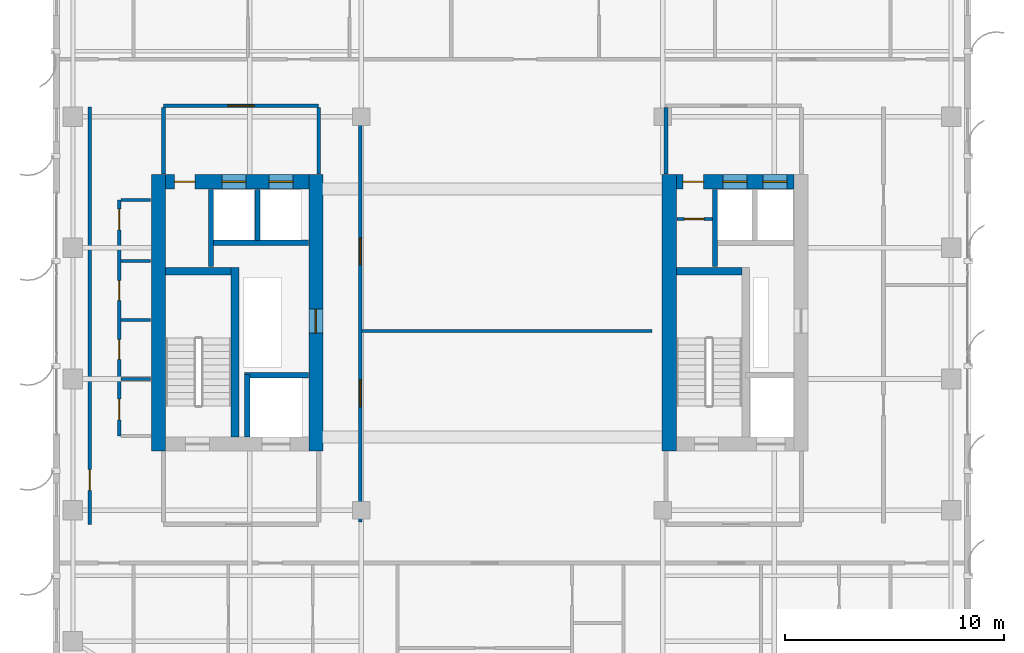
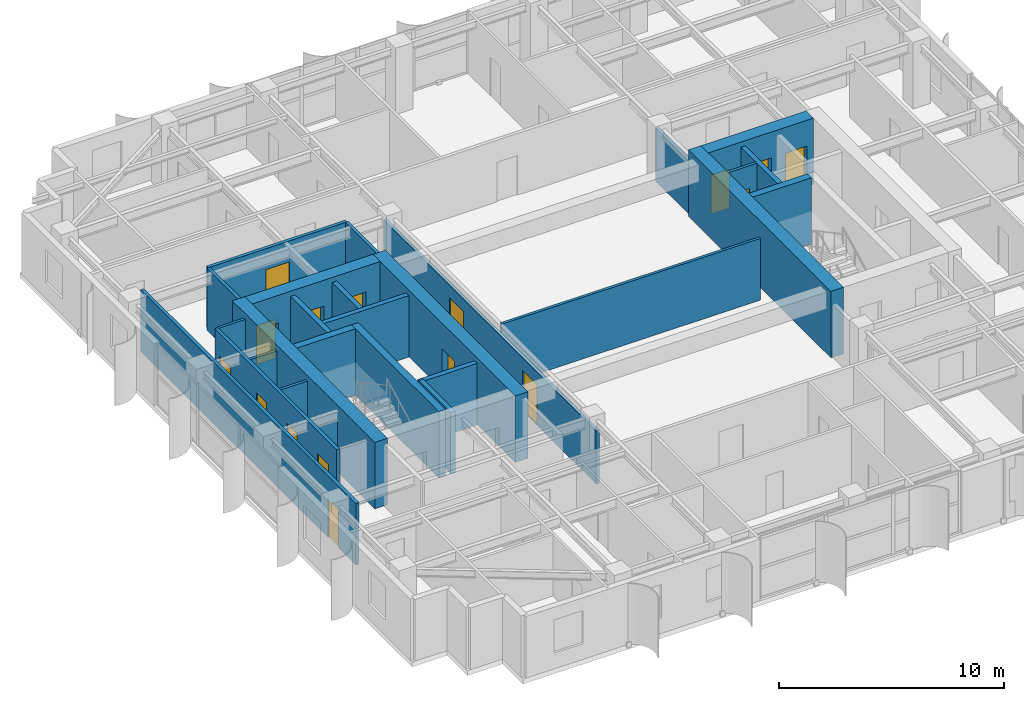
# One storey, part 16 of 22: 27 walls, 16 doors, 16 openings.
"""IFC4 building model written with IfcOpenShell, lengths in metres."""

from ifc_helpers import new_model, si_unit, direction, frame, frame_2d, origin, place, context, subcontext, project, spatial, rectangle, extrude, source, transform, mapped, material, layer, layer_set, type_object, element, fill, save


model = new_model("IFC4")

# Units and contexts
model_context = context("Model", 3, precision=1e-05, world=origin(), true_north=direction((0.0, 1.0)))
body_context = subcontext(model_context, "Body", "Model", "MODEL_VIEW")
ifc_project = project(units=[si_unit("LENGTHUNIT", "METRE"), si_unit("AREAUNIT", "SQUARE_METRE"), si_unit("VOLUMEUNIT", "CUBIC_METRE"), si_unit("PLANEANGLEUNIT", "RADIAN"), si_unit("MASSUNIT", "GRAM", prefix="KILO")], contexts=[model_context])

# Site, building, storey
site_placement = place(None, origin())
site = spatial("IfcSite", under=ifc_project, at=site_placement, CompositionType="ELEMENT")
building_placement = place(site_placement, origin())
building = spatial("IfcBuilding", under=site, at=building_placement, Name="Khoralis Quay Care Tower", CompositionType="ELEMENT")
storey_placement = place(building_placement, frame((0.0, 0.0, 180.89990234375)))
storey = spatial("IfcBuildingStorey", under=building, at=storey_placement, Name="L47", CompositionType="ELEMENT", Elevation=180.89990234375)

# Wall
ifc_material_1 = material(Name="Concrete C65/80", Category="concrete")
ifc_layer_1 = layer(ifc_material_1, 0.64990234375)
ifc_layer_set_1 = layer_set([ifc_layer_1], Name="Concrete C65/80")
wall_type_1 = type_object("IfcWallType", Name="WL-CORE-650", PredefinedType="SHEAR", material=ifc_layer_set_1)
wall_1_placement = place(storey_placement, frame((7.824951171875, 14.699951171875, 0.0), z_axis=(0.0, 0.0, 1.0), x_axis=(0.0, 1.0, 0.0)))
element("IfcWall", 1, at=wall_1_placement, inside=storey, type_object=wall_type_1, Name="L47 WCORE West Shear Wall", PredefinedType="SHEAR", context=body_context, shape_type="SweptSolid", body=[
    extrude(rectangle(XDim=12.650146484375, YDim=0.64990234375, at=frame_2d((6.3251953125, 0.0))), origin(), (0.0, 0.0, 1.0), 3.60009765625),
])

# Wall, opening, door
wall_2_placement = place(storey_placement, frame((15.02490234375, 14.699951171875, 0.0), z_axis=(0.0, 0.0, 1.0), x_axis=(0.0, 1.0, 0.0)))
wall_2 = element("IfcWall", 2, at=wall_2_placement, inside=storey, type_object=wall_type_1, Name="L47 WCORE East Shear Wall", PredefinedType="SHEAR", context=body_context, shape_type="SweptSolid", body=[
    extrude(rectangle(XDim=12.650146484375, YDim=0.64990234375, at=frame_2d((6.3251953125, 0.0))), origin(), (0.0, 0.0, 1.0), 3.60009765625),
])
opening_1_placement = place(wall_2_placement, frame((5.39990234375, 0.0, 0.0)))
opening_1 = element("IfcOpeningElement", 3, at=opening_1_placement, cuts=wall_2, Name="Opening SD1", PredefinedType="OPENING", context=body_context, shape_type="SweptSolid", body=[
    extrude(rectangle(XDim=1.10009765625, YDim=2.199951171875, at=frame_2d((0.550048828125, 1.10009765625))), frame((0.0, 0.3349609375, 0.0), z_axis=(0.0, -1.0, 0.0), x_axis=(1.0, 0.0, 0.0)), (0.0, 0.0, 1.0), 0.669921875),
])
ifc_material_2 = material(Name="Fire-rated painted steel", Category="steel")
door_type_1 = type_object("IfcDoorType", Name="DR-STAIR-1100X2200", OperationType="NOTDEFINED", PredefinedType="DOOR", material=ifc_material_2)
shared_shape_1 = source(origin(), body_context, "Body", "SweptSolid", [
    extrude(rectangle(XDim=1.10009765625, YDim=2.199951171875, at=frame_2d((0.550048828125, 1.10009765625))), frame((0.0, 0.02490234375, 0.0), z_axis=(0.0, -1.0, 0.0), x_axis=(1.0, 0.0, 0.0)), (0.0, 0.0, 1.0), 0.050048828125),
])
door_1_placement = place(opening_1_placement, origin())
door_1 = element("IfcDoor", 4, at=door_1_placement, inside=storey, type_object=door_type_1, Name="L47 West MEP Riser Door", OperationType="SINGLE_SWING_LEFT", OverallHeight=2.199951171875, OverallWidth=1.10009765625, PredefinedType="DOOR", context=body_context, shape_type="MappedRepresentation", body=[
    mapped(shared_shape_1, transform((0.0, 0.0, 0.0), scale=1.0)),
])
fill(opening_1, door_1)

# Wall, openings, doors
wall_3_placement = place(storey_placement, frame((8.14990234375, 27.02490234375, 0.0), z_axis=(0.0, 0.0, 1.0), x_axis=(1.0, 0.0, 0.0)))
wall_3 = element("IfcWall", 5, at=wall_3_placement, inside=storey, type_object=wall_type_1, Name="L47 WCORE North Shear Wall", PredefinedType="SHEAR", context=body_context, shape_type="SweptSolid", body=[
    extrude(rectangle(XDim=6.550048828125, YDim=0.64990234375, at=frame_2d((3.27490234375, 0.0))), origin(), (0.0, 0.0, 1.0), 3.60009765625),
])
opening_2_placement = place(wall_3_placement, frame((0.39990234375, 0.0, 0.0)))
opening_2 = element("IfcOpeningElement", 6, at=opening_2_placement, cuts=wall_3, Name="Opening ID1", PredefinedType="OPENING", context=body_context, shape_type="SweptSolid", body=[
    extrude(rectangle(XDim=0.949951171875, YDim=2.10009765625, at=frame_2d((0.47509765625, 1.050048828125))), frame((0.0, 0.3349609375, 0.0), z_axis=(0.0, -1.0, 0.0), x_axis=(1.0, 0.0, 0.0)), (0.0, 0.0, 1.0), 0.669921875),
])
opening_3_placement = place(wall_3_placement, frame((2.570068359375, 0.0, 0.0)))
opening_3 = element("IfcOpeningElement", 7, at=opening_3_placement, cuts=wall_3, Name="Opening LD1", PredefinedType="OPENING", context=body_context, shape_type="SweptSolid", body=[
    extrude(rectangle(XDim=1.10009765625, YDim=2.199951171875, at=frame_2d((0.550048828125, 1.10009765625))), frame((0.0, 0.3349609375, 0.0), z_axis=(0.0, -1.0, 0.0), x_axis=(1.0, 0.0, 0.0)), (0.0, 0.0, 1.0), 0.669921875),
])
opening_4_placement = place(wall_3_placement, frame((4.72998046875, 0.0, 0.0)))
opening_4 = element("IfcOpeningElement", 8, at=opening_4_placement, cuts=wall_3, Name="Opening LD1", PredefinedType="OPENING", context=body_context, shape_type="SweptSolid", body=[
    extrude(rectangle(XDim=1.10009765625, YDim=2.199951171875, at=frame_2d((0.550048828125, 1.10009765625))), frame((0.0, 0.3349609375, 0.0), z_axis=(0.0, -1.0, 0.0), x_axis=(1.0, 0.0, 0.0)), (0.0, 0.0, 1.0), 0.669921875),
])
ifc_material_3 = material(Name="Brushed stainless steel", Category="steel")
door_type_2 = type_object("IfcDoorType", Name="DR-LIFT-1100X2200", OperationType="SLIDING_TO_LEFT", PredefinedType="DOOR", material=ifc_material_3)
shared_shape_2 = source(origin(), body_context, "Body", "SweptSolid", [
    extrude(rectangle(XDim=1.10009765625, YDim=2.199951171875, at=frame_2d((0.550048828125, 1.10009765625))), frame((0.0, 0.02490234375, 0.0), z_axis=(0.0, -1.0, 0.0), x_axis=(1.0, 0.0, 0.0)), (0.0, 0.0, 1.0), 0.050048828125),
])
door_2_placement = place(opening_3_placement, origin())
door_2 = element("IfcDoor", 9, at=door_2_placement, inside=storey, type_object=door_type_2, Name="L47 Lift PLM1 Landing Door", OperationType="SLIDING_TO_LEFT", OverallHeight=2.199951171875, OverallWidth=1.10009765625, PredefinedType="DOOR", context=body_context, shape_type="MappedRepresentation", body=[
    mapped(shared_shape_2, transform((0.0, 0.0, 0.0), scale=1.0)),
])
fill(opening_3, door_2)
door_3_placement = place(opening_4_placement, origin())
door_3 = element("IfcDoor", 10, at=door_3_placement, inside=storey, type_object=door_type_2, Name="L47 Lift PLH1 Landing Door", OperationType="SLIDING_TO_LEFT", OverallHeight=2.199951171875, OverallWidth=1.10009765625, PredefinedType="DOOR", context=body_context, shape_type="MappedRepresentation", body=[
    mapped(shared_shape_2, transform((0.0, 0.0, 0.0), scale=1.0)),
])
fill(opening_4, door_3)
ifc_material_4 = material(Name="Acoustic hardwood timber", Category="wood")
door_type_3 = type_object("IfcDoorType", Name="DR-ROOM-950X2100", OperationType="NOTDEFINED", PredefinedType="DOOR", material=ifc_material_4)
shared_shape_3 = source(origin(), body_context, "Body", "SweptSolid", [
    extrude(rectangle(XDim=0.949951171875, YDim=2.10009765625, at=frame_2d((0.47509765625, 1.050048828125))), frame((0.0, 0.02490234375, 0.0), z_axis=(0.0, -1.0, 0.0), x_axis=(1.0, 0.0, 0.0)), (0.0, 0.0, 1.0), 0.050048828125),
])
door_4_placement = place(opening_2_placement, frame((0.949951171875, 0.0, 0.0), z_axis=(0.0, 0.0, 1.0), x_axis=(-1.0, 0.0, 0.0)))
door_4 = element("IfcDoor", 11, at=door_4_placement, inside=storey, type_object=door_type_3, Name="L47 Medication Room Door", OperationType="SINGLE_SWING_LEFT", OverallHeight=2.10009765625, OverallWidth=0.949951171875, PredefinedType="DOOR", context=body_context, shape_type="MappedRepresentation", body=[
    mapped(shared_shape_3, transform((0.0, 0.0, 0.0), scale=1.0)),
])
fill(opening_2, door_4)

# Wall
wall_4_placement = place(storey_placement, frame((31.195068359375, 14.699951171875, 0.0), z_axis=(0.0, 0.0, 1.0), x_axis=(0.0, 1.0, 0.0)))
element("IfcWall", 12, at=wall_4_placement, inside=storey, type_object=wall_type_1, Name="L47 ECORE West Shear Wall", PredefinedType="SHEAR", context=body_context, shape_type="SweptSolid", body=[
    extrude(rectangle(XDim=12.650146484375, YDim=0.64990234375, at=frame_2d((6.3251953125, 0.0))), origin(), (0.0, 0.0, 1.0), 3.60009765625),
])

# Wall, openings, doors
wall_5_placement = place(storey_placement, frame((31.52001953125, 27.02490234375, 0.0), z_axis=(0.0, 0.0, 1.0), x_axis=(1.0, 0.0, 0.0)))
wall_5 = element("IfcWall", 13, at=wall_5_placement, inside=storey, type_object=wall_type_1, Name="L47 ECORE North Shear Wall", PredefinedType="SHEAR", context=body_context, shape_type="SweptSolid", body=[
    extrude(rectangle(XDim=5.3798828125, YDim=0.64990234375, at=frame_2d((2.68994140625, 0.0))), origin(), (0.0, 0.0, 1.0), 3.60009765625),
])
opening_5_placement = place(wall_5_placement, frame((0.300048828125, 0.0, 0.0)))
opening_5 = element("IfcOpeningElement", 14, at=opening_5_placement, cuts=wall_5, Name="Opening ID1", PredefinedType="OPENING", context=body_context, shape_type="SweptSolid", body=[
    extrude(rectangle(XDim=0.949951171875, YDim=2.10009765625, at=frame_2d((0.47509765625, 1.050048828125))), frame((0.0, 0.3349609375, 0.0), z_axis=(0.0, -1.0, 0.0), x_axis=(1.0, 0.0, 0.0)), (0.0, 0.0, 1.0), 0.669921875),
])
opening_6_placement = place(wall_5_placement, frame((2.1298828125, 0.0, 0.0)))
opening_6 = element("IfcOpeningElement", 15, at=opening_6_placement, cuts=wall_5, Name="Opening LD1", PredefinedType="OPENING", context=body_context, shape_type="SweptSolid", body=[
    extrude(rectangle(XDim=1.10009765625, YDim=2.199951171875, at=frame_2d((0.550048828125, 1.10009765625))), frame((0.0, 0.3349609375, 0.0), z_axis=(0.0, -1.0, 0.0), x_axis=(1.0, 0.0, 0.0)), (0.0, 0.0, 1.0), 0.669921875),
])
opening_7_placement = place(wall_5_placement, frame((3.9599609375, 0.0, 0.0)))
opening_7 = element("IfcOpeningElement", 16, at=opening_7_placement, cuts=wall_5, Name="Opening LD1", PredefinedType="OPENING", context=body_context, shape_type="SweptSolid", body=[
    extrude(rectangle(XDim=1.10009765625, YDim=2.199951171875, at=frame_2d((0.550048828125, 1.10009765625))), frame((0.0, 0.3349609375, 0.0), z_axis=(0.0, -1.0, 0.0), x_axis=(1.0, 0.0, 0.0)), (0.0, 0.0, 1.0), 0.669921875),
])
door_5_placement = place(opening_6_placement, origin())
door_5 = element("IfcDoor", 17, at=door_5_placement, inside=storey, type_object=door_type_2, Name="L47 Lift PLM2 Landing Door", OperationType="SLIDING_TO_LEFT", OverallHeight=2.199951171875, OverallWidth=1.10009765625, PredefinedType="DOOR", context=body_context, shape_type="MappedRepresentation", body=[
    mapped(shared_shape_2, transform((0.0, 0.0, 0.0), scale=1.0)),
])
fill(opening_6, door_5)
door_6_placement = place(opening_7_placement, origin())
door_6 = element("IfcDoor", 18, at=door_6_placement, inside=storey, type_object=door_type_2, Name="L47 Lift PLH2 Landing Door", OperationType="SLIDING_TO_LEFT", OverallHeight=2.199951171875, OverallWidth=1.10009765625, PredefinedType="DOOR", context=body_context, shape_type="MappedRepresentation", body=[
    mapped(shared_shape_2, transform((0.0, 0.0, 0.0), scale=1.0)),
])
fill(opening_7, door_6)
door_7_placement = place(opening_5_placement, frame((0.949951171875, 0.0, 0.0), z_axis=(0.0, 0.0, 1.0), x_axis=(-1.0, 0.0, 0.0)))
door_7 = element("IfcDoor", 19, at=door_7_placement, inside=storey, type_object=door_type_3, Name="L47 Nutrition Store Door", OperationType="SINGLE_SWING_RIGHT", OverallHeight=2.10009765625, OverallWidth=0.949951171875, PredefinedType="DOOR", context=body_context, shape_type="MappedRepresentation", body=[
    mapped(shared_shape_3, transform((0.0, 0.0, 0.0), scale=1.0)),
])
fill(opening_5, door_7)

# Wall, opening, door
ifc_material_5 = material(Name="Gypsum plasterboard on acoustic metal stud")
ifc_layer_2 = layer(ifc_material_5, 0.1650390625)
ifc_layer_set_2 = layer_set([ifc_layer_2], Name="Gypsum plasterboard on acoustic metal stud")
wall_type_2 = type_object("IfcWallType", Name="WL-CORR-165", PredefinedType="PARTITIONING", material=ifc_layer_set_2)
wall_6_placement = place(storey_placement, frame((8.050048828125, 30.5, 0.0), z_axis=(0.0, 0.0, 1.0), x_axis=(1.0, 0.0, 0.0)))
wall_6 = element("IfcWall", 20, at=wall_6_placement, inside=storey, type_object=wall_type_2, Name="L47 West Lift Lobby North Wall", PredefinedType="PARTITIONING", context=body_context, shape_type="SweptSolid", body=[
    extrude(rectangle(XDim=7.099853515625, YDim=0.1650390625, at=frame_2d((3.5498046875, 0.0))), origin(), (0.0, 0.0, 1.0), 3.340087890625),
])
opening_8_placement = place(wall_6_placement, frame((2.949951171875, 0.0, 0.0)))
opening_8 = element("IfcOpeningElement", 21, at=opening_8_placement, cuts=wall_6, Name="Opening FD1", PredefinedType="OPENING", context=body_context, shape_type="SweptSolid", body=[
    extrude(rectangle(XDim=1.199951171875, YDim=2.199951171875, at=frame_2d((0.60009765625, 1.10009765625))), frame((0.0, 0.092529296875, 0.0), z_axis=(0.0, -1.0, 0.0), x_axis=(1.0, 0.0, 0.0)), (0.0, 0.0, 1.0), 0.18505859375),
])
door_type_4 = type_object("IfcDoorType", Name="DR-FFL-1200X2200", OperationType="NOTDEFINED", PredefinedType="DOOR", material=ifc_material_2)
shared_shape_4 = source(origin(), body_context, "Body", "SweptSolid", [
    extrude(rectangle(XDim=1.199951171875, YDim=2.199951171875, at=frame_2d((0.60009765625, 1.10009765625))), frame((0.0, 0.02490234375, 0.0), z_axis=(0.0, -1.0, 0.0), x_axis=(1.0, 0.0, 0.0)), (0.0, 0.0, 1.0), 0.050048828125),
])
door_8_placement = place(opening_8_placement, origin())
door_8 = element("IfcDoor", 22, at=door_8_placement, inside=storey, type_object=door_type_4, Name="L47 West Lift Lobby Double Door", OperationType="DOUBLE_DOOR_SINGLE_SWING", OverallHeight=2.199951171875, OverallWidth=1.199951171875, PredefinedType="DOOR", context=body_context, shape_type="MappedRepresentation", body=[
    mapped(shared_shape_4, transform((0.0, 0.0, 0.0), scale=1.0)),
])
fill(opening_8, door_8)

# Walls
for number, where, z_axis, x_axis, name in (
    (23, (8.050048828125, 27.3701171875, 0.0), (0.0, 0.0, 1.0), (0.0, 1.0, 0.0), "L47 West Lift Lobby West Wall"),
    (24, (15.14990234375, 27.3701171875, 0.0), (0.0, 0.0, 1.0), (0.0, 1.0, 0.0), "L47 West Lift Lobby East Wall"),
):
    element("IfcWall", number, at=place(storey_placement, frame(where, z_axis=z_axis, x_axis=x_axis)), inside=storey, type_object=wall_type_2, Name=name, PredefinedType="PARTITIONING", context=body_context, shape_type="SweptSolid", body=[
        extrude(rectangle(XDim=3.052490234375, YDim=0.1650390625, at=frame_2d((1.5263671875, 0.0))), origin(), (0.0, 0.0, 1.0), 3.340087890625),
    ])
wall_7_placement = place(storey_placement, frame((31.050048828125, 27.3701171875, 0.0), z_axis=(0.0, 0.0, 1.0), x_axis=(0.0, 1.0, 0.0)))
element("IfcWall", 25, at=wall_7_placement, inside=storey, type_object=wall_type_2, Name="L47 East Lift Lobby West Wall", PredefinedType="PARTITIONING", context=body_context, shape_type="SweptSolid", body=[
    extrude(rectangle(XDim=3.052490234375, YDim=0.1650390625, at=frame_2d((1.5263671875, 0.0))), origin(), (0.0, 0.0, 1.0), 2.877197265625),
])

# Wall, openings, doors
wall_8_placement = place(storey_placement, frame((6.02001953125, 15.39990234375, 0.0), z_axis=(0.0, 0.0, 1.0), x_axis=(0.0, 1.0, 0.0)))
wall_8 = element("IfcWall", 26, at=wall_8_placement, inside=storey, type_object=wall_type_2, Name="L47 West Core Service Flank Wall", PredefinedType="PARTITIONING", context=body_context, shape_type="SweptSolid", body=[
    extrude(rectangle(XDim=10.800048828125, YDim=0.1650390625, at=frame_2d((5.39990234375, 0.0))), origin(), (0.0, 0.0, 1.0), 3.340087890625),
])
opening_9_placement = place(wall_8_placement, frame((0.72509765625, 0.0, 0.0)))
opening_9 = element("IfcOpeningElement", 27, at=opening_9_placement, cuts=wall_8, Name="Opening ID1", PredefinedType="OPENING", context=body_context, shape_type="SweptSolid", body=[
    extrude(rectangle(XDim=0.949951171875, YDim=2.10009765625, at=frame_2d((0.47509765625, 1.050048828125))), frame((0.0, 0.092529296875, 0.0), z_axis=(0.0, -1.0, 0.0), x_axis=(1.0, 0.0, 0.0)), (0.0, 0.0, 1.0), 0.18505859375),
])
opening_10_placement = place(wall_8_placement, frame((3.5, 0.0, 0.0)))
opening_10 = element("IfcOpeningElement", 28, at=opening_10_placement, cuts=wall_8, Name="Opening WD1", PredefinedType="OPENING", context=body_context, shape_type="SweptSolid", body=[
    extrude(rectangle(XDim=0.89990234375, YDim=2.10009765625, at=frame_2d((0.449951171875, 1.050048828125))), frame((0.0, 0.092529296875, 0.0), z_axis=(0.0, -1.0, 0.0), x_axis=(1.0, 0.0, 0.0)), (0.0, 0.0, 1.0), 0.18505859375),
])
opening_11_placement = place(wall_8_placement, frame((6.199951171875, 0.0, 0.0)))
opening_11 = element("IfcOpeningElement", 29, at=opening_11_placement, cuts=wall_8, Name="Opening WD1", PredefinedType="OPENING", context=body_context, shape_type="SweptSolid", body=[
    extrude(rectangle(XDim=0.89990234375, YDim=2.10009765625, at=frame_2d((0.449951171875, 1.050048828125))), frame((0.0, 0.092529296875, 0.0), z_axis=(0.0, -1.0, 0.0), x_axis=(1.0, 0.0, 0.0)), (0.0, 0.0, 1.0), 0.18505859375),
])
opening_12_placement = place(wall_8_placement, frame((9.425048828125, 0.0, 0.0)))
opening_12 = element("IfcOpeningElement", 30, at=opening_12_placement, cuts=wall_8, Name="Opening ID1", PredefinedType="OPENING", context=body_context, shape_type="SweptSolid", body=[
    extrude(rectangle(XDim=0.949951171875, YDim=2.10009765625, at=frame_2d((0.47509765625, 1.050048828125))), frame((0.0, 0.092529296875, 0.0), z_axis=(0.0, -1.0, 0.0), x_axis=(1.0, 0.0, 0.0)), (0.0, 0.0, 1.0), 0.18505859375),
])
door_type_5 = type_object("IfcDoorType", Name="DR-BATH-900X2100", OperationType="NOTDEFINED", PredefinedType="DOOR", material=ifc_material_4)
shared_shape_5 = source(origin(), body_context, "Body", "SweptSolid", [
    extrude(rectangle(XDim=0.89990234375, YDim=2.10009765625, at=frame_2d((0.449951171875, 1.050048828125))), frame((0.0, 0.02490234375, 0.0), z_axis=(0.0, -1.0, 0.0), x_axis=(1.0, 0.0, 0.0)), (0.0, 0.0, 1.0), 0.050048828125),
])
door_9_placement = place(opening_10_placement, frame((0.89990234375, 0.0, 0.0), z_axis=(0.0, 0.0, 1.0), x_axis=(-1.0, 0.0, 0.0)))
door_9 = element("IfcDoor", 31, at=door_9_placement, inside=storey, type_object=door_type_5, Name="L47 Public Accessible WC Door", OperationType="SINGLE_SWING_LEFT", OverallHeight=2.10009765625, OverallWidth=0.89990234375, PredefinedType="DOOR", context=body_context, shape_type="MappedRepresentation", body=[
    mapped(shared_shape_5, transform((0.0, 0.0, 0.0), scale=1.0)),
])
fill(opening_10, door_9)
door_10_placement = place(opening_11_placement, frame((0.89990234375, 0.0, 0.0), z_axis=(0.0, 0.0, 1.0), x_axis=(-1.0, 0.0, 0.0)))
door_10 = element("IfcDoor", 32, at=door_10_placement, inside=storey, type_object=door_type_5, Name="L47 Staff Accessible WC Door", OperationType="SINGLE_SWING_RIGHT", OverallHeight=2.10009765625, OverallWidth=0.89990234375, PredefinedType="DOOR", context=body_context, shape_type="MappedRepresentation", body=[
    mapped(shared_shape_5, transform((0.0, 0.0, 0.0), scale=1.0)),
])
fill(opening_11, door_10)
door_11_placement = place(opening_9_placement, frame((0.949951171875, 0.0, 0.0), z_axis=(0.0, 0.0, 1.0), x_axis=(-1.0, 0.0, 0.0)))
door_11 = element("IfcDoor", 33, at=door_11_placement, inside=storey, type_object=door_type_3, Name="L47 Housekeeping Store Door", OperationType="SINGLE_SWING_RIGHT", OverallHeight=2.10009765625, OverallWidth=0.949951171875, PredefinedType="DOOR", context=body_context, shape_type="MappedRepresentation", body=[
    mapped(shared_shape_3, transform((0.0, 0.0, 0.0), scale=1.0)),
])
fill(opening_9, door_11)
door_12_placement = place(opening_12_placement, frame((0.949951171875, 0.0, 0.0), z_axis=(0.0, 0.0, 1.0), x_axis=(-1.0, 0.0, 0.0)))
door_12 = element("IfcDoor", 34, at=door_12_placement, inside=storey, type_object=door_type_3, Name="L47 Telecom IDF Room Door", OperationType="SINGLE_SWING_LEFT", OverallHeight=2.10009765625, OverallWidth=0.949951171875, PredefinedType="DOOR", context=body_context, shape_type="MappedRepresentation", body=[
    mapped(shared_shape_3, transform((0.0, 0.0, 0.0), scale=1.0)),
])
fill(opening_12, door_12)

wall_9_placement = place(storey_placement, frame((17.050048828125, 11.449951171875, 0.0), z_axis=(0.0, 0.0, 1.0), x_axis=(0.0, 1.0, 0.0)))
wall_9 = element("IfcWall", 35, at=wall_9_placement, inside=storey, type_object=wall_type_2, Name="L47 West Portal Spine Wall", PredefinedType="PARTITIONING", context=body_context, shape_type="SweptSolid", body=[
    extrude(rectangle(XDim=18.900146484375, YDim=0.1650390625, at=frame_2d((9.4501953125, 0.0))), origin(), (0.0, 0.0, 1.0), 2.877197265625),
])
opening_13_placement = place(wall_9_placement, frame((5.27490234375, 0.0, 0.0)))
opening_13 = element("IfcOpeningElement", 36, at=opening_13_placement, cuts=wall_9, Name="Opening CD1", PredefinedType="OPENING", context=body_context, shape_type="SweptSolid", body=[
    extrude(rectangle(XDim=1.25, YDim=2.199951171875, at=frame_2d((0.625, 1.10009765625))), frame((0.0, 0.092529296875, 0.0), z_axis=(0.0, -1.0, 0.0), x_axis=(1.0, 0.0, 0.0)), (0.0, 0.0, 1.0), 0.18505859375),
])
opening_14_placement = place(wall_9_placement, frame((11.77490234375, 0.0, 0.0)))
opening_14 = element("IfcOpeningElement", 37, at=opening_14_placement, cuts=wall_9, Name="Opening CD1", PredefinedType="OPENING", context=body_context, shape_type="SweptSolid", body=[
    extrude(rectangle(XDim=1.25, YDim=2.199951171875, at=frame_2d((0.625, 1.10009765625))), frame((0.0, 0.092529296875, 0.0), z_axis=(0.0, -1.0, 0.0), x_axis=(1.0, 0.0, 0.0)), (0.0, 0.0, 1.0), 0.18505859375),
])
door_type_6 = type_object("IfcDoorType", Name="DR-CARE-1250X2200", OperationType="NOTDEFINED", PredefinedType="DOOR", material=ifc_material_4)
shared_shape_6 = source(origin(), body_context, "Body", "SweptSolid", [
    extrude(rectangle(XDim=1.25, YDim=2.199951171875, at=frame_2d((0.625, 1.10009765625))), frame((0.0, 0.02490234375, 0.0), z_axis=(0.0, -1.0, 0.0), x_axis=(1.0, 0.0, 0.0)), (0.0, 0.0, 1.0), 0.050048828125),
])
door_13_placement = place(opening_13_placement, origin())
door_13 = element("IfcDoor", 38, at=door_13_placement, inside=storey, type_object=door_type_6, Name="L47 Nurse Station Door", OperationType="SINGLE_SWING_LEFT", OverallHeight=2.199951171875, OverallWidth=1.25, PredefinedType="DOOR", context=body_context, shape_type="MappedRepresentation", body=[
    mapped(shared_shape_6, transform((0.0, 0.0, 0.0), scale=1.0)),
])
fill(opening_13, door_13)
door_14_placement = place(opening_14_placement, origin())
door_14 = element("IfcDoor", 39, at=door_14_placement, inside=storey, type_object=door_type_6, Name="L47 Activity Hall Door", OperationType="SINGLE_SWING_RIGHT", OverallHeight=2.199951171875, OverallWidth=1.25, PredefinedType="DOOR", context=body_context, shape_type="MappedRepresentation", body=[
    mapped(shared_shape_6, transform((0.0, 0.0, 0.0), scale=1.0)),
])
fill(opening_14, door_14)

# Wall, opening, door
wall_10_placement = place(storey_placement, frame((4.679931640625, 11.35009765625, 0.0), z_axis=(0.0, 0.0, 1.0), x_axis=(0.0, 1.0, 0.0)))
wall_10 = element("IfcWall", 40, at=wall_10_placement, inside=storey, type_object=wall_type_2, Name="L47 West Sunroom Wall", PredefinedType="PARTITIONING", context=body_context, shape_type="SweptSolid", body=[
    extrude(rectangle(XDim=19.099853515625, YDim=0.1650390625, at=frame_2d((9.5498046875, 0.0))), origin(), (0.0, 0.0, 1.0), 3.340087890625),
])
opening_15_placement = place(wall_10_placement, frame((1.550048828125, 0.0, 0.0)))
opening_15 = element("IfcOpeningElement", 41, at=opening_15_placement, cuts=wall_10, Name="Opening ID1", PredefinedType="OPENING", context=body_context, shape_type="SweptSolid", body=[
    extrude(rectangle(XDim=0.949951171875, YDim=2.10009765625, at=frame_2d((0.47509765625, 1.050048828125))), frame((0.0, 0.092529296875, 0.0), z_axis=(0.0, -1.0, 0.0), x_axis=(1.0, 0.0, 0.0)), (0.0, 0.0, 1.0), 0.18505859375),
])
door_15_placement = place(opening_15_placement, frame((0.949951171875, 0.0, 0.0), z_axis=(0.0, 0.0, 1.0), x_axis=(-1.0, 0.0, 0.0)))
door_15 = element("IfcDoor", 42, at=door_15_placement, inside=storey, type_object=door_type_3, Name="L47 West Sunroom Door", OperationType="SINGLE_SWING_LEFT", OverallHeight=2.10009765625, OverallWidth=0.949951171875, PredefinedType="DOOR", context=body_context, shape_type="MappedRepresentation", body=[
    mapped(shared_shape_3, transform((0.0, 0.0, 0.0), scale=1.0)),
])
fill(opening_15, door_15)

# Walls
ifc_material_6 = material(Name="Moisture-resistant gypsum and ceramic tile")
ifc_layer_3 = layer(ifc_material_6, 0.280029296875)
ifc_layer_set_3 = layer_set([ifc_layer_3], Name="Moisture-resistant gypsum and ceramic tile")
wall_type_3 = type_object("IfcWallType", Name="WL-PLUMB-280", PredefinedType="PLUMBINGWALL", material=ifc_layer_set_3)
wall_11_placement = place(storey_placement, frame((6.097412109375, 18.0, 0.0), z_axis=(0.0, 0.0, 1.0), x_axis=(1.0, 0.0, 0.0)))
element("IfcWall", 43, at=wall_11_placement, inside=storey, type_object=wall_type_3, Name="L47 West Flank Divider 1", PredefinedType="PLUMBINGWALL", context=body_context, shape_type="SweptSolid", body=[
    extrude(rectangle(XDim=1.362548828125, YDim=0.139892578125, at=frame_2d((0.68115234375, 0.0))), origin(), (0.0, 0.0, 1.0), 2.80712890625),
])
wall_12_placement = place(storey_placement, frame((6.097412109375, 20.699951171875, 0.0), z_axis=(0.0, 0.0, 1.0), x_axis=(1.0, 0.0, 0.0)))
element("IfcWall", 44, at=wall_12_placement, inside=storey, type_object=wall_type_3, Name="L47 West Flank Divider 2", PredefinedType="PLUMBINGWALL", context=body_context, shape_type="SweptSolid", body=[
    extrude(rectangle(XDim=1.362548828125, YDim=0.139892578125, at=frame_2d((0.68115234375, 0.0))), origin(), (0.0, 0.0, 1.0), 3.340087890625),
])
ifc_material_7 = material(Name="Concrete C40/50", Category="concrete")
ifc_layer_4 = layer(ifc_material_7, 0.35009765625)
ifc_layer_set_4 = layer_set([ifc_layer_4], Name="Concrete C40/50")
wall_type_4 = type_object("IfcWallType", Name="WL-SC-CORE-350", PredefinedType="SHEAR", material=ifc_layer_set_4)
wall_13_placement = place(storey_placement, frame((11.324951171875, 15.35009765625, 0.0), z_axis=(0.0, 0.0, 1.0), x_axis=(0.0, 1.0, 0.0)))
element("IfcWall", 45, at=wall_13_placement, inside=storey, type_object=wall_type_4, Name="L47 Stair ST-T1 Shear Baffle Wall East", PredefinedType="SHEAR", context=body_context, shape_type="SweptSolid", body=[
    extrude(rectangle(XDim=7.75, YDim=0.35009765625, at=frame_2d((3.875, 0.0))), origin(), (0.0, 0.0, 1.0), 3.60009765625),
])
for number, where, z_axis, x_axis, name in (
    (46, (8.14990234375, 22.925048828125, 0.0), (0.0, 0.0, 1.0), (1.0, 0.0, 0.0), "L47 Stair ST-T1 Shear Baffle Wall North"),
    (47, (31.52001953125, 22.925048828125, 0.0), (0.0, 0.0, 1.0), (1.0, 0.0, 0.0), "L47 Stair ST-T2 Shear Baffle Wall North"),
):
    element("IfcWall", number, at=place(storey_placement, frame(where, z_axis=z_axis, x_axis=x_axis)), inside=storey, type_object=wall_type_4, Name=name, PredefinedType="SHEAR", context=body_context, shape_type="SweptSolid", body=[
        extrude(rectangle(XDim=3.0, YDim=0.35009765625, at=frame_2d((1.5, 0.0))), origin(), (0.0, 0.0, 1.0), 3.60009765625),
    ])
ifc_layer_5 = layer(ifc_material_5, 0.239990234375)
ifc_layer_set_5 = layer_set([ifc_layer_5], Name="Gypsum plasterboard on acoustic metal stud")
wall_type_5 = type_object("IfcWallType", Name="WL-SHAFT-240", PredefinedType="PARTITIONING", material=ifc_layer_set_5)
wall_14_placement = place(storey_placement, frame((11.8798828125, 15.35009765625, 0.0), z_axis=(0.0, 0.0, 1.0), x_axis=(0.0, 1.0, 0.0)))
element("IfcWall", 48, at=wall_14_placement, inside=storey, type_object=wall_type_5, Name="L47 FFL-1 Shaft Wall West", PredefinedType="PARTITIONING", context=body_context, shape_type="SweptSolid", body=[
    extrude(rectangle(XDim=2.849853515625, YDim=0.239990234375, at=frame_2d((1.4248046875, 0.0))), origin(), (0.0, 0.0, 1.0), 3.340087890625),
])
wall_15_placement = place(storey_placement, frame((11.760009765625, 18.169921875, 0.0), z_axis=(0.0, 0.0, 1.0), x_axis=(1.0, 0.0, 0.0)))
element("IfcWall", 49, at=wall_15_placement, inside=storey, type_object=wall_type_5, Name="L47 FFL-1 Shaft Wall North", PredefinedType="PARTITIONING", context=body_context, shape_type="SweptSolid", body=[
    extrude(rectangle(XDim=2.919921875, YDim=0.239990234375, at=frame_2d((1.4599609375, 0.0))), origin(), (0.0, 0.0, 1.0), 3.340087890625),
])
wall_16_placement = place(storey_placement, frame((10.219970703125, 23.139892578125, 0.0), z_axis=(0.0, 0.0, 1.0), x_axis=(0.0, 1.0, 0.0)))
element("IfcWall", 50, at=wall_16_placement, inside=storey, type_object=wall_type_5, Name="L47 Reclaimed Bay Divider West", PredefinedType="PARTITIONING", context=body_context, shape_type="SweptSolid", body=[
    extrude(rectangle(XDim=3.5400390625, YDim=0.239990234375, at=frame_2d((1.77001953125, 0.0))), origin(), (0.0, 0.0, 1.0), 3.340087890625),
])
wall_17_placement = place(storey_placement, frame((10.3349609375, 24.22998046875, 0.0), z_axis=(0.0, 0.0, 1.0), x_axis=(1.0, 0.0, 0.0)))
element("IfcWall", 51, at=wall_17_placement, inside=storey, type_object=wall_type_5, Name="L47 Active Shaft South Wall West", PredefinedType="PARTITIONING", context=body_context, shape_type="SweptSolid", body=[
    extrude(rectangle(XDim=4.344970703125, YDim=0.239990234375, at=frame_2d((2.17236328125, 0.0))), origin(), (0.0, 0.0, 1.0), 3.340087890625),
])
wall_18_placement = place(storey_placement, frame((12.35009765625, 24.344970703125, 0.0), z_axis=(0.0, 0.0, 1.0), x_axis=(0.0, 1.0, 0.0)))
element("IfcWall", 52, at=wall_18_placement, inside=storey, type_object=wall_type_5, Name="L47 West Shaft Divider 2", PredefinedType="PARTITIONING", context=body_context, shape_type="SweptSolid", body=[
    extrude(rectangle(XDim=2.3349609375, YDim=0.239990234375, at=frame_2d((1.16748046875, 0.0))), origin(), (0.0, 0.0, 1.0), 3.340087890625),
])
wall_19_placement = place(storey_placement, frame((33.2900390625, 23.139892578125, 0.0), z_axis=(0.0, 0.0, 1.0), x_axis=(0.0, 1.0, 0.0)))
element("IfcWall", 53, at=wall_19_placement, inside=storey, type_object=wall_type_5, Name="L47 Reclaimed Bay Divider East", PredefinedType="PARTITIONING", context=body_context, shape_type="SweptSolid", body=[
    extrude(rectangle(XDim=3.5400390625, YDim=0.239990234375, at=frame_2d((1.77001953125, 0.0))), origin(), (0.0, 0.0, 1.0), 3.340087890625),
])

# Wall, opening, door
ifc_layer_6 = layer(ifc_material_5, 0.139892578125)
ifc_layer_set_6 = layer_set([ifc_layer_6], Name="Gypsum plasterboard on acoustic metal stud")
wall_type_6 = type_object("IfcWallType", Name="WL-UNIT-140", PredefinedType="PARTITIONING", material=ifc_layer_set_6)
wall_20_placement = place(storey_placement, frame((31.550048828125, 25.320068359375, 0.0), z_axis=(0.0, 0.0, 1.0), x_axis=(1.0, 0.0, 0.0)))
wall_20 = element("IfcWall", 54, at=wall_20_placement, inside=storey, type_object=wall_type_6, Name="L47 East Reclaimed Split Wall", PredefinedType="PARTITIONING", context=body_context, shape_type="SweptSolid", body=[
    extrude(rectangle(XDim=1.625, YDim=0.139892578125, at=frame_2d((0.8125, 0.0))), origin(), (0.0, 0.0, 1.0), 3.340087890625),
])
opening_16_placement = place(wall_20_placement, frame((0.340087890625, 0.0, 0.0)))
opening_16 = element("IfcOpeningElement", 55, at=opening_16_placement, cuts=wall_20, Name="Opening WD1", PredefinedType="OPENING", context=body_context, shape_type="SweptSolid", body=[
    extrude(rectangle(XDim=0.89990234375, YDim=2.10009765625, at=frame_2d((0.449951171875, 1.050048828125))), frame((0.0, 0.080078125, 0.0), z_axis=(0.0, -1.0, 0.0), x_axis=(1.0, 0.0, 0.0)), (0.0, 0.0, 1.0), 0.159912109375),
])
door_16_placement = place(opening_16_placement, frame((0.89990234375, 0.0, 0.0), z_axis=(0.0, 0.0, 1.0), x_axis=(-1.0, 0.0, 0.0)))
door_16 = element("IfcDoor", 56, at=door_16_placement, inside=storey, type_object=door_type_5, Name="L47 Sterile Store Door", OperationType="SINGLE_SWING_RIGHT", OverallHeight=2.10009765625, OverallWidth=0.89990234375, PredefinedType="DOOR", context=body_context, shape_type="MappedRepresentation", body=[
    mapped(shared_shape_5, transform((0.0, 0.0, 0.0), scale=1.0)),
])
fill(opening_16, door_16)

# Walls
for number, where, z_axis, x_axis, name in (
    (57, (6.097412109375, 26.199951171875, 0.0), (0.0, 0.0, 1.0), (1.0, 0.0, 0.0), "L47 West Flank North Cap"),
    (58, (6.097412109375, 23.39990234375, 0.0), (0.0, 0.0, 1.0), (1.0, 0.0, 0.0), "L47 West Flank Divider 3"),
):
    element("IfcWall", number, at=place(storey_placement, frame(where, z_axis=z_axis, x_axis=x_axis)), inside=storey, type_object=wall_type_6, Name=name, PredefinedType="PARTITIONING", context=body_context, shape_type="SweptSolid", body=[
        extrude(rectangle(XDim=1.362548828125, YDim=0.139892578125, at=frame_2d((0.68115234375, 0.0))), origin(), (0.0, 0.0, 1.0), 3.340087890625),
    ])
wall_21_placement = place(storey_placement, frame((17.12744140625, 20.199951171875, 0.0), z_axis=(0.0, 0.0, 1.0), x_axis=(1.0, 0.0, 0.0)))
element("IfcWall", 59, at=wall_21_placement, inside=storey, type_object=wall_type_6, Name="L47 Central Split", PredefinedType="PARTITIONING", context=body_context, shape_type="SweptSolid", body=[
    extrude(rectangle(XDim=13.2724609375, YDim=0.139892578125, at=frame_2d((6.63623046875, 0.0))), origin(), (0.0, 0.0, 1.0), 3.340087890625),
])

save(model, "model.ifc")
